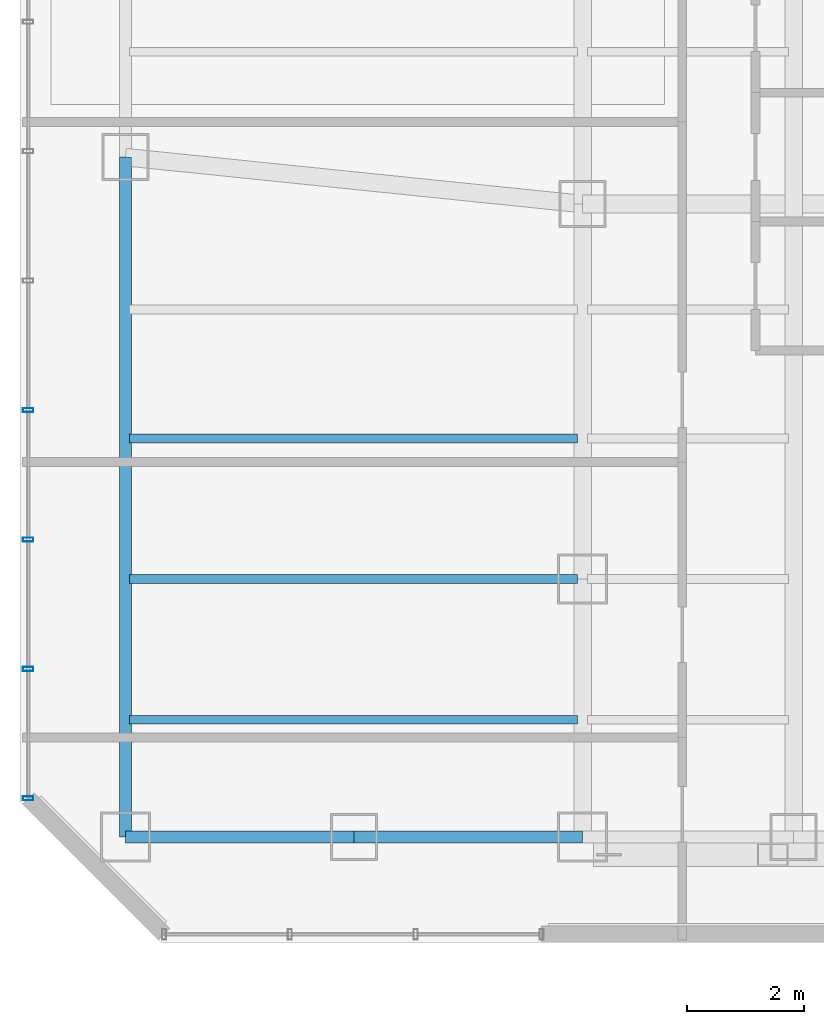
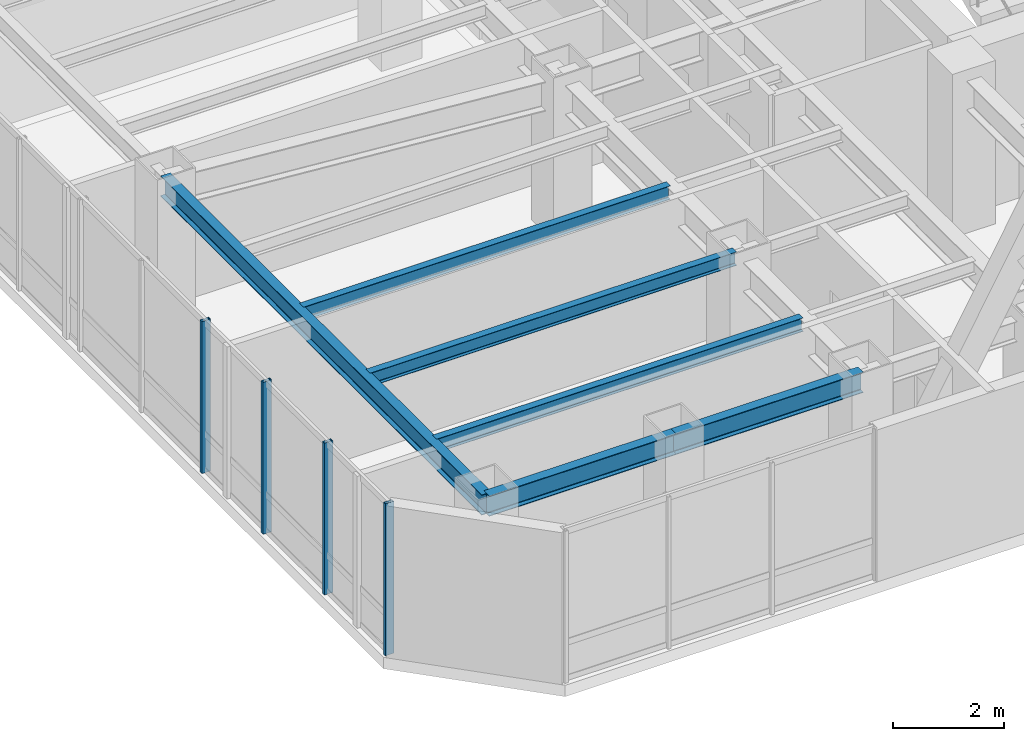
# One storey, part 4 of 27: 6 beams, 4 members, 1 element without a shape of its own.
"""IFC4 building model written with IfcOpenShell, lengths in metres."""

from ifc_helpers import new_model, si_unit, direction, frame, origin, origin_2d, place, context, subcontext, project, spatial, hollow_rectangle, i_section, extrude, material, layer, layer_set, material_profile, profile_set, type_object, element, aggregate, save


model = new_model("IFC4")

# Units and contexts
model_context = context("Model", 3, precision=1e-05, world=origin(), true_north=direction((0.0, 1.0)))
body_context = subcontext(model_context, "Body", "Model", "MODEL_VIEW")
ifc_project = project(units=[si_unit("LENGTHUNIT", "METRE"), si_unit("AREAUNIT", "SQUARE_METRE"), si_unit("VOLUMEUNIT", "CUBIC_METRE"), si_unit("PLANEANGLEUNIT", "RADIAN"), si_unit("MASSUNIT", "GRAM", prefix="KILO")], contexts=[model_context])

# Site, building, storey
site_placement = place(None, origin())
site = spatial("IfcSite", under=ifc_project, at=site_placement, CompositionType="ELEMENT")
building_placement = place(site_placement, origin())
building = spatial("IfcBuilding", under=site, at=building_placement, Name="Hatsunagi Terrace Concourse", CompositionType="ELEMENT")
storey_placement = place(building_placement, frame((0.0, 0.0, 145.64990234375)))
storey = spatial("IfcBuildingStorey", under=building, at=storey_placement, Name="L38", CompositionType="ELEMENT", Elevation=145.64990234375)

# Curtain wall, members
ifc_material_1 = material(Name="Anodised Aluminium Alloy 6063-T5", Category="aluminium")
ifc_layer = layer(ifc_material_1, 0.199951171875)
ifc_layer_set = layer_set([ifc_layer], Name="OfficeZone1_CW03")
curtain_wall_type = type_object("IfcCurtainWallType", Name="OfficeZone1_CW03", PredefinedType="NOTDEFINED", material=ifc_layer_set)
curtain_wall_placement = place(storey_placement, origin())
curtain_wall = element("IfcCurtainWall", 1, at=curtain_wall_placement, inside=storey, type_object=curtain_wall_type, Name="Unitised Curtain Wall CW-03 CW-L38-09", PredefinedType="NOTDEFINED")
ifc_material_2 = material(Name="Anodised Aluminium Alloy 6063-T5", Category="aluminium")
ifc_material_profile_1 = material_profile(ifc_material_2, hollow_rectangle(XDim=0.070068359375, YDim=0.179931640625, WallThickness=0.00390625, at=origin_2d()), Name="ALU-MUL-180x70x4")
ifc_profile_set_1 = profile_set([ifc_material_profile_1], Name="Anodised Aluminium Alloy 6063-T5")
member_type = type_object("IfcMemberType", Name="CurtainWallMullion_180x70", PredefinedType="MULLION", material=ifc_profile_set_1)
member_1_placement = place(storey_placement, frame((9.739990234375, 25.85791015625, 0.0), z_axis=(0.0, 0.0, 1.0), x_axis=(0.0, 1.0, 0.0)))
member_1 = element("IfcMember", 2, at=member_1_placement, type_object=member_type, Name="Curtain Wall Mullion MUL-02", PredefinedType="MULLION", context=body_context, shape_type="SweptSolid", body=[
    extrude(hollow_rectangle(XDim=0.070068359375, YDim=0.179931640625, WallThickness=0.00390625, at=origin_2d()), origin(), (0.0, 0.0, 1.0), 3.35009765625),
])
member_2_placement = place(storey_placement, frame((9.739990234375, 28.06591796875, 0.0), z_axis=(0.0, 0.0, 1.0), x_axis=(0.0, 1.0, 0.0)))
member_2 = element("IfcMember", 3, at=member_2_placement, type_object=member_type, Name="Curtain Wall Mullion MUL-02", PredefinedType="MULLION", context=body_context, shape_type="SweptSolid", body=[
    extrude(hollow_rectangle(XDim=0.070068359375, YDim=0.179931640625, WallThickness=0.00390625, at=origin_2d()), origin(), (0.0, 0.0, 1.0), 3.35009765625),
])
member_3_placement = place(storey_placement, frame((9.739990234375, 30.27490234375, 0.0), z_axis=(0.0, 0.0, 1.0), x_axis=(0.0, 1.0, 0.0)))
member_3 = element("IfcMember", 4, at=member_3_placement, type_object=member_type, Name="Curtain Wall Mullion MUL-02", PredefinedType="MULLION", context=body_context, shape_type="SweptSolid", body=[
    extrude(hollow_rectangle(XDim=0.070068359375, YDim=0.179931640625, WallThickness=0.00390625, at=origin_2d()), origin(), (0.0, 0.0, 1.0), 3.35009765625),
])
member_4_placement = place(storey_placement, frame((9.739990234375, 32.48291015625, 0.0), z_axis=(0.0, 0.0, 1.0), x_axis=(0.0, 1.0, 0.0)))
member_4 = element("IfcMember", 5, at=member_4_placement, type_object=member_type, Name="Curtain Wall Mullion MUL-02", PredefinedType="MULLION", context=body_context, shape_type="SweptSolid", body=[
    extrude(hollow_rectangle(XDim=0.070068359375, YDim=0.179931640625, WallThickness=0.00390625, at=origin_2d()), origin(), (0.0, 0.0, 1.0), 3.35009765625),
])
aggregate(curtain_wall, [member_1, member_2, member_3, member_4])

# Beams
ifc_material_3 = material(Name="Steel SN490B", Category="steel")
ifc_material_profile_2 = material_profile(ifc_material_3, i_section(OverallWidth=0.14990234375, OverallDepth=0.300048828125, WebThickness=0.006591796875, FlangeThickness=0.009033203125, FilletRadius=0.010986328125, at=origin_2d()), Name="H-300x150x6.5x9")
ifc_profile_set_2 = profile_set([ifc_material_profile_2], Name="Steel SN490B")
beam_type_1 = type_object("IfcBeamType", Name="OfficeJoist_H_300x150", PredefinedType="JOIST", material=ifc_profile_set_2)
for number, where, z_axis, x_axis, name in (
    (6, (11.465087890625, 27.199951171875, 3.2001953125), (1.0, 0.0, 0.0), (0.0, 1.0, 0.0), "Beam J-03 J-L38-W-11-272"),
    (7, (11.465087890625, 29.60009765625, 3.2001953125), (1.0, 0.0, 0.0), (0.0, 1.0, 0.0), "Beam J-03 J-L38-W-11-296"),
    (8, (11.465087890625, 32.0, 3.2001953125), (1.0, 0.0, 0.0), (0.0, 1.0, 0.0), "Beam J-03 J-L38-W-11-320"),
):
    element("IfcBeam", number, at=place(storey_placement, frame(where, z_axis=z_axis, x_axis=x_axis)), inside=storey, type_object=beam_type_1, Name=name, PredefinedType="JOIST", context=body_context, shape_type="SweptSolid", body=[
        extrude(i_section(OverallWidth=0.14990234375, OverallDepth=0.300048828125, WebThickness=0.006591796875, FlangeThickness=0.009033203125, FilletRadius=0.010986328125, at=origin_2d()), origin(), (0.0, 0.0, 1.0), 7.64990234375),
    ])
ifc_material_4 = material(Name="Steel SN490B", Category="steel")
ifc_material_profile_3 = material_profile(ifc_material_4, i_section(OverallWidth=0.199951171875, OverallDepth=0.449951171875, WebThickness=0.009033203125, FlangeThickness=0.013916015625, FilletRadius=0.01611328125, at=origin_2d()), Name="H-450x200x9x14")
ifc_profile_set_3 = profile_set([ifc_material_profile_3], Name="Steel SN490B")
beam_type_2 = type_object("IfcBeamType", Name="PerimeterSpandrel_H_450x200", PredefinedType="SPANDREL", material=ifc_profile_set_3)
beam_1_placement = place(storey_placement, frame((11.39990234375, 25.199951171875, 3.125), z_axis=(1.0, 0.0, 0.0), x_axis=(0.0, 1.0, 0.0)))
element("IfcBeam", 9, at=beam_1_placement, inside=storey, type_object=beam_type_2, Name="Beam SP-02 BM-L38-WS-11", PredefinedType="SPANDREL", context=body_context, shape_type="SweptSolid", body=[
    extrude(i_section(OverallWidth=0.199951171875, OverallDepth=0.449951171875, WebThickness=0.009033203125, FlangeThickness=0.013916015625, FilletRadius=0.01611328125, at=origin_2d()), origin(), (0.0, 0.0, 1.0), 3.900146484375),
])
beam_2_placement = place(storey_placement, frame((15.300048828125, 25.199951171875, 3.125), z_axis=(1.0, 0.0, 0.0), x_axis=(0.0, 1.0, 0.0)))
element("IfcBeam", 10, at=beam_2_placement, inside=storey, type_object=beam_type_2, Name="Beam SP-02 BM-L38-WS-15", PredefinedType="SPANDREL", context=body_context, shape_type="SweptSolid", body=[
    extrude(i_section(OverallWidth=0.199951171875, OverallDepth=0.449951171875, WebThickness=0.009033203125, FlangeThickness=0.013916015625, FilletRadius=0.01611328125, at=origin_2d()), origin(), (0.0, 0.0, 1.0), 3.89990234375),
])
beam_3_placement = place(storey_placement, frame((11.39990234375, 25.199951171875, 3.125), z_axis=(0.0, 1.0, 0.0), x_axis=(-1.0, 0.0, 0.0)))
element("IfcBeam", 11, at=beam_3_placement, inside=storey, type_object=beam_type_2, Name="Beam SP-02 BM-L38-NS-11-25", PredefinedType="SPANDREL", context=body_context, shape_type="SweptSolid", body=[
    extrude(i_section(OverallWidth=0.199951171875, OverallDepth=0.449951171875, WebThickness=0.009033203125, FlangeThickness=0.013916015625, FilletRadius=0.01611328125, at=origin_2d()), origin(), (0.0, 0.0, 1.0), 11.60009765625),
])

save(model, "model.ifc")
